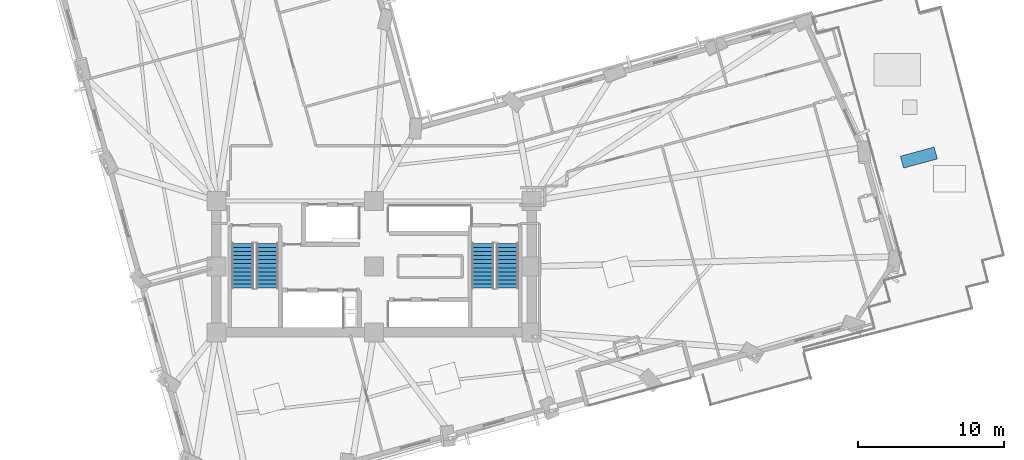
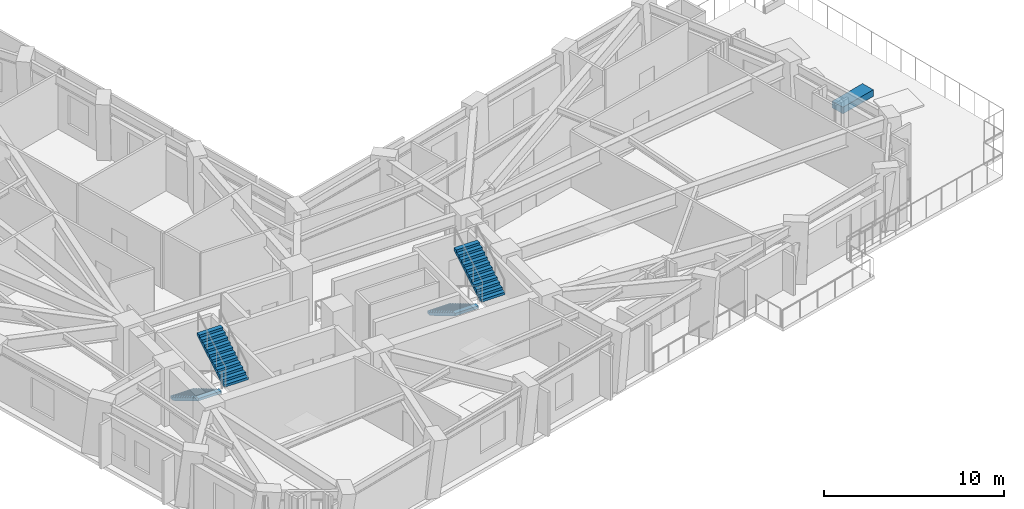
# One storey, part 11 of 15: 4 stair flights, 1 discrete accessory, 2 elements without a shape of their own.
"""IFC4 building model written with IfcOpenShell, lengths in metres."""

from ifc_helpers import new_model, si_unit, direction, frame, origin, origin_2d, place, context, subcontext, project, spatial, polyline, rectangle, outline, extrude, material, type_object, element, aggregate, save


model = new_model("IFC4")

# Units and contexts
model_context = context("Model", 3, precision=1e-05, world=origin(), true_north=direction((0.0, 1.0)))
body_context = subcontext(model_context, "Body", "Model", "MODEL_VIEW")
ifc_project = project(units=[si_unit("LENGTHUNIT", "METRE"), si_unit("AREAUNIT", "SQUARE_METRE"), si_unit("VOLUMEUNIT", "CUBIC_METRE"), si_unit("PLANEANGLEUNIT", "RADIAN"), si_unit("MASSUNIT", "GRAM", prefix="KILO")], contexts=[model_context])

# Site, building, storey
site_placement = place(None, origin())
site = spatial("IfcSite", under=ifc_project, at=site_placement, CompositionType="ELEMENT")
building_placement = place(site_placement, origin())
building = spatial("IfcBuilding", under=site, at=building_placement, Name="Gaonmaruhae Medical Tower", CompositionType="ELEMENT")
storey_placement = place(building_placement, frame((0.0, 0.0, 88.39990234375)))
storey = spatial("IfcBuildingStorey", under=building, at=storey_placement, Name="L20", CompositionType="ELEMENT", Elevation=88.39990234375)

# Stair, stair flights
ifc_material_1 = material(Name="Concrete C40/50", Category="concrete")
stair_type = type_object("IfcStairType", Name="ST-T1 Primary Core Escape Dogleg Stair", PredefinedType="TWO_QUARTER_TURN_STAIR", material=ifc_material_1)
stair_1_placement = place(storey_placement, origin())
stair_1 = element("IfcStair", 1, at=stair_1_placement, inside=storey, type_object=stair_type, Name="L20 Protected Escape Stair ST-01", PredefinedType="TWO_QUARTER_TURN_STAIR")
stair_flight_type = type_object("IfcStairFlightType", Name="SF-T1 Primary Core Precast Stair Flight", PredefinedType="STRAIGHT", material=ifc_material_1)
stair_flight_1_placement = place(storey_placement, frame((15.800048828125, 13.89990234375, 0.0), z_axis=(0.0, 0.0, 1.0), x_axis=(0.0, -1.0, 0.0)))
stair_flight_1 = element("IfcStairFlight", 2, at=stair_flight_1_placement, type_object=stair_flight_type, Name="ST-01 flight 1", NumberOfRisers=12, NumberOfTreads=11, PredefinedType="STRAIGHT", RiserHeight=0.166666667, TreadLength=0.28, context=body_context, shape_type="SweptSolid", body=[
    extrude(outline(polyline([(0.0, 0.0), (0.0, 0.166748046875), (0.280029296875, 0.166748046875), (0.280029296875, 0.333251953125), (0.56005859375, 0.333251953125), (0.56005859375, 0.5), (0.840087890625, 0.5), (0.840087890625, 0.666748046875), (1.1201171875, 0.666748046875), (1.1201171875, 0.833251953125), (1.39990234375, 0.833251953125), (1.39990234375, 1.0), (1.679931640625, 1.0), (1.679931640625, 1.166748046875), (1.9599609375, 1.166748046875), (1.9599609375, 1.333251953125), (2.239990234375, 1.333251953125), (2.239990234375, 1.5), (2.52001953125, 1.5), (2.52001953125, 1.666748046875), (2.800048828125, 1.666748046875), (2.800048828125, 1.833251953125), (3.080078125, 1.833251953125), (3.080078125, 2.0), (3.080078125, 1.658935546875), (0.29296875, 0.0), (0.0, 0.0)])), frame((0.0, 0.75, 0.0), z_axis=(0.0, -1.0, 0.0), x_axis=(1.0, 0.0, 0.0)), (0.0, 0.0, 1.0), 1.5),
])
stair_flight_2_placement = place(storey_placement, frame((17.5, 10.820068359375, 2.0), z_axis=(0.0, 0.0, 1.0), x_axis=(0.0, 1.0, 0.0)))
stair_flight_2 = element("IfcStairFlight", 3, at=stair_flight_2_placement, type_object=stair_flight_type, Name="ST-01 flight 2", NumberOfRisers=12, NumberOfTreads=11, PredefinedType="STRAIGHT", RiserHeight=0.166666667, TreadLength=0.28, context=body_context, shape_type="SweptSolid", body=[
    extrude(outline(polyline([(0.0, 0.0), (0.0, 0.166748046875), (0.280029296875, 0.166748046875), (0.280029296875, 0.333251953125), (0.56005859375, 0.333251953125), (0.56005859375, 0.5), (0.840087890625, 0.5), (0.840087890625, 0.666748046875), (1.1201171875, 0.666748046875), (1.1201171875, 0.833251953125), (1.39990234375, 0.833251953125), (1.39990234375, 1.0), (1.679931640625, 1.0), (1.679931640625, 1.166748046875), (1.9599609375, 1.166748046875), (1.9599609375, 1.333251953125), (2.239990234375, 1.333251953125), (2.239990234375, 1.5), (2.52001953125, 1.5), (2.52001953125, 1.666748046875), (2.800048828125, 1.666748046875), (2.800048828125, 1.833251953125), (3.080078125, 1.833251953125), (3.080078125, 2.0), (3.080078125, 1.658935546875), (0.29296875, 0.0), (0.0, 0.0)])), frame((0.0, 0.75, 0.0), z_axis=(0.0, -1.0, 0.0), x_axis=(1.0, 0.0, 0.0)), (0.0, 0.0, 1.0), 1.5),
])
aggregate(stair_1, [stair_flight_1, stair_flight_2])

stair_2_placement = place(storey_placement, origin())
stair_2 = element("IfcStair", 4, at=stair_2_placement, inside=storey, type_object=stair_type, Name="L20 Protected Escape Stair ST-02", PredefinedType="TWO_QUARTER_TURN_STAIR")
stair_flight_3_placement = place(storey_placement, frame((32.25, 13.89990234375, 0.0), z_axis=(0.0, 0.0, 1.0), x_axis=(0.0, -1.0, 0.0)))
stair_flight_3 = element("IfcStairFlight", 5, at=stair_flight_3_placement, type_object=stair_flight_type, Name="ST-02 flight 1", NumberOfRisers=12, NumberOfTreads=11, PredefinedType="STRAIGHT", RiserHeight=0.166666667, TreadLength=0.28, context=body_context, shape_type="SweptSolid", body=[
    extrude(outline(polyline([(0.0, 0.0), (0.0, 0.166748046875), (0.280029296875, 0.166748046875), (0.280029296875, 0.333251953125), (0.56005859375, 0.333251953125), (0.56005859375, 0.5), (0.840087890625, 0.5), (0.840087890625, 0.666748046875), (1.1201171875, 0.666748046875), (1.1201171875, 0.833251953125), (1.39990234375, 0.833251953125), (1.39990234375, 1.0), (1.679931640625, 1.0), (1.679931640625, 1.166748046875), (1.9599609375, 1.166748046875), (1.9599609375, 1.333251953125), (2.239990234375, 1.333251953125), (2.239990234375, 1.5), (2.52001953125, 1.5), (2.52001953125, 1.666748046875), (2.800048828125, 1.666748046875), (2.800048828125, 1.833251953125), (3.080078125, 1.833251953125), (3.080078125, 2.0), (3.080078125, 1.658935546875), (0.29296875, 0.0), (0.0, 0.0)])), frame((0.0, 0.75, 0.0), z_axis=(0.0, -1.0, 0.0), x_axis=(1.0, 0.0, 0.0)), (0.0, 0.0, 1.0), 1.5),
])
stair_flight_4_placement = place(storey_placement, frame((33.949951171875, 10.820068359375, 2.0), z_axis=(0.0, 0.0, 1.0), x_axis=(0.0, 1.0, 0.0)))
stair_flight_4 = element("IfcStairFlight", 6, at=stair_flight_4_placement, type_object=stair_flight_type, Name="ST-02 flight 2", NumberOfRisers=12, NumberOfTreads=11, PredefinedType="STRAIGHT", RiserHeight=0.166666667, TreadLength=0.28, context=body_context, shape_type="SweptSolid", body=[
    extrude(outline(polyline([(0.0, 0.0), (0.0, 0.166748046875), (0.280029296875, 0.166748046875), (0.280029296875, 0.333251953125), (0.56005859375, 0.333251953125), (0.56005859375, 0.5), (0.840087890625, 0.5), (0.840087890625, 0.666748046875), (1.1201171875, 0.666748046875), (1.1201171875, 0.833251953125), (1.39990234375, 0.833251953125), (1.39990234375, 1.0), (1.679931640625, 1.0), (1.679931640625, 1.166748046875), (1.9599609375, 1.166748046875), (1.9599609375, 1.333251953125), (2.239990234375, 1.333251953125), (2.239990234375, 1.5), (2.52001953125, 1.5), (2.52001953125, 1.666748046875), (2.800048828125, 1.666748046875), (2.800048828125, 1.833251953125), (3.080078125, 1.833251953125), (3.080078125, 2.0), (3.080078125, 1.658935546875), (0.29296875, 0.0), (0.0, 0.0)])), frame((0.0, 0.75, 0.0), z_axis=(0.0, -1.0, 0.0), x_axis=(1.0, 0.0, 0.0)), (0.0, 0.0, 1.0), 1.5),
])
aggregate(stair_2, [stair_flight_3, stair_flight_4])

# Discrete accessory
ifc_material_2 = material(Name="Precast concrete C45/55", Category="concrete")
discrete_accessory_type = type_object("IfcDiscreteAccessoryType", Name="PLN-01 Sky Garden Precast Botanical Planter", PredefinedType="USERDEFINED", material=ifc_material_2)
discrete_accessory_placement = place(storey_placement, frame((62.131103515625, 19.772216796875, 0.0), z_axis=(0.0, 0.0, 1.0), x_axis=(0.965016494472, 0.262189178641, 0.0)))
element("IfcDiscreteAccessory", 7, at=discrete_accessory_placement, inside=storey, type_object=discrete_accessory_type, Name="L20 Sky Garden Botanical Planter SLB-L20-SKYG1", ObjectType="PLANTER", PredefinedType="USERDEFINED", context=body_context, shape_type="SweptSolid", body=[
    extrude(rectangle(XDim=2.39990234375, YDim=0.85009765625, at=origin_2d()), origin(), (0.0, 0.0, 1.0), 0.449951171875),
])

save(model, "model.ifc")
